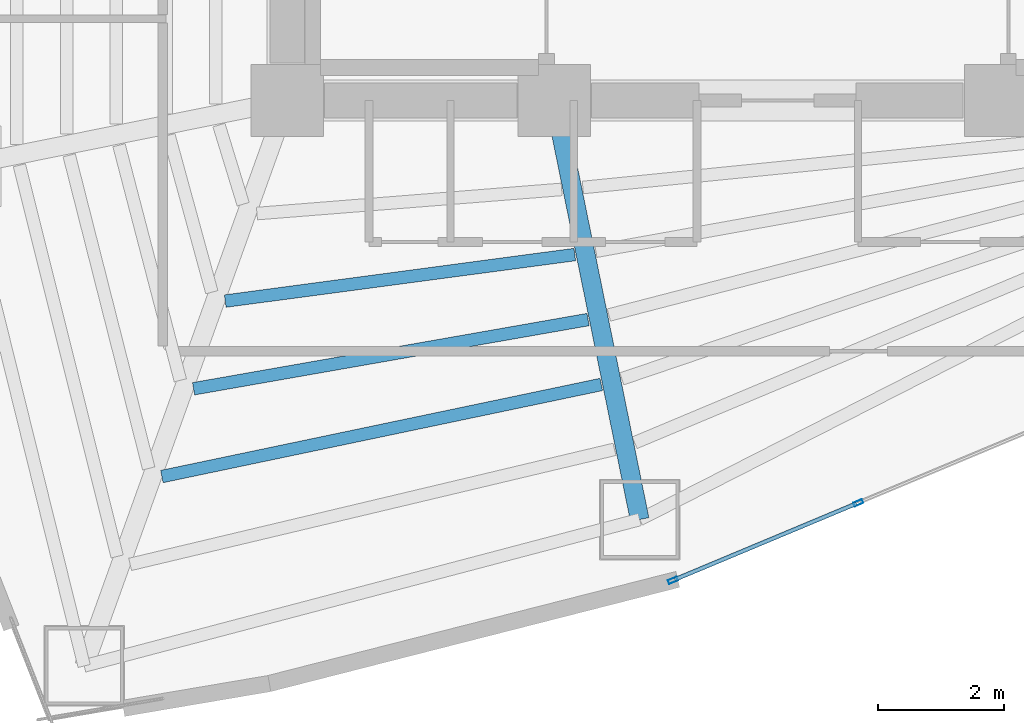
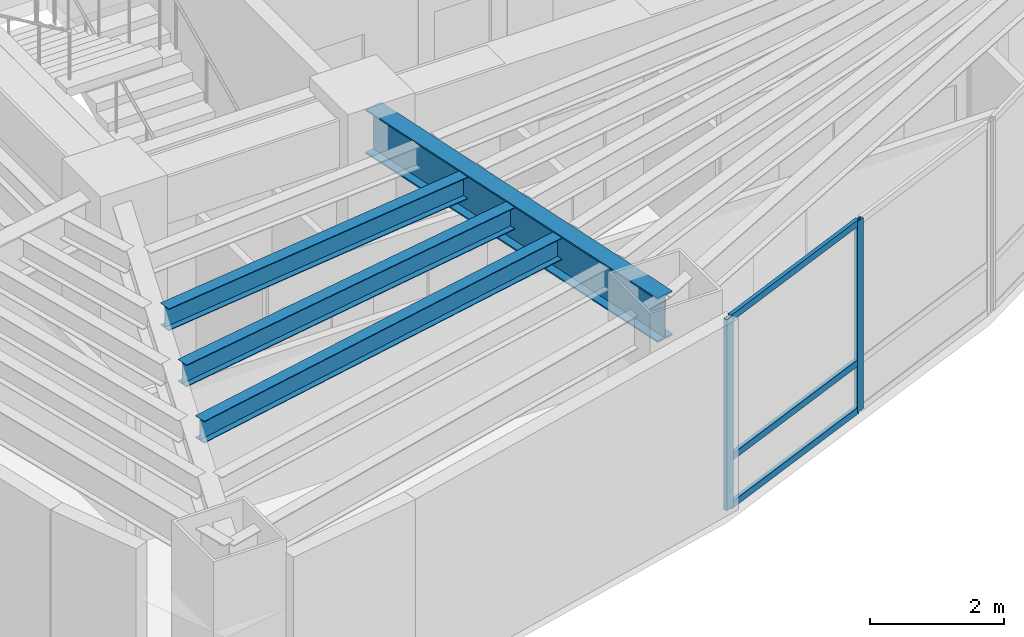
# One storey, part 2 of 18: 5 members, 4 beams, 1 element without a shape of its own.
"""IFC4 building model written with IfcOpenShell, lengths in metres."""

import ifcopenshell
import ifcopenshell.guid

model = None  # the IFC model being written
_history = None  # IfcOwnerHistory: only IFC2X3 demands one
_inside = {}  # id of a spatial element -> (the spatial element, [elements in it])
_under = {}  # id of a project, library or spatial element -> (it, [spatial elements below it])
_declared = {}  # id of a project -> (the project, [libraries it declares])
_typed = {}  # id of a type object -> (the type object, [elements of that type])
_made_of = {}  # id of a material, layer set ... -> (it, [elements and type objects made of it])


def new_model(schema):
    """Start an empty IFC model of exactly this schema.

    Asked for "IFC4X3", IfcOpenShell would pick the latest addendum, in which some entities
    have other attributes; the version numbers below select the first issue.
    IFC2X3 requires an IfcOwnerHistory on every rooted entity: one is made here for all.
    """
    global model, _history
    if schema == "IFC4X3":
        model = ifcopenshell.file(schema_version=(4, 3, 0, 0))
    else:
        model = ifcopenshell.file(schema=schema)
    _inside.clear()
    _under.clear()
    _declared.clear()
    _typed.clear()
    _made_of.clear()
    _history = None
    if model.schema == "IFC2X3":
        org = make("IfcOrganization", Name="unknown")
        user = make(
            "IfcPersonAndOrganization",
            ThePerson=make("IfcPerson", FamilyName="unknown"),
            TheOrganization=org,
        )
        app = make(
            "IfcApplication",
            ApplicationDeveloper=org,
            Version="unknown",
            ApplicationFullName="unknown",
            ApplicationIdentifier="unknown",
        )
        _history = make(
            "IfcOwnerHistory",
            OwningUser=user,
            OwningApplication=app,
            ChangeAction="ADDED",
            CreationDate=0,
        )
    return model


def make(cls, **values):
    """One entity of the class cls with the attributes given. An attribute that is None is left unset."""
    return model.create_entity(
        cls, **{name: value for name, value in values.items() if value is not None}
    )


def rooted(cls, **values):
    """An entity with a GlobalId (a new one), such as an element, a storey or a relation."""
    return make(cls, GlobalId=ifcopenshell.guid.new(), OwnerHistory=_history, **values)


def si_unit(unit_type, name, prefix=None):
    """IfcSIUnit, for example si_unit("LENGTHUNIT", "METRE", prefix="MILLI")."""
    return make("IfcSIUnit", UnitType=unit_type, Prefix=prefix, Name=name)


def assignment(units):
    """IfcUnitAssignment: the units of a project."""
    return None if units is None else make("IfcUnitAssignment", Units=units)


def point(xyz):
    """IfcCartesianPoint."""
    return None if xyz is None else make("IfcCartesianPoint", Coordinates=xyz)


def direction(xyz):
    """IfcDirection."""
    return None if xyz is None else make("IfcDirection", DirectionRatios=xyz)


def frame(location, z_axis=None, x_axis=None):
    """IfcAxis2Placement3D, a coordinate frame: its origin and axes. An axis left out is left unset."""
    return make(
        "IfcAxis2Placement3D",
        Location=point(location),
        Axis=direction(z_axis),
        RefDirection=direction(x_axis),
    )


def frame_2d(location, x_axis=None):
    """IfcAxis2Placement2D, a coordinate frame in the plane: its origin and x axis."""
    return make(
        "IfcAxis2Placement2D", Location=point(location), RefDirection=direction(x_axis)
    )


def origin():
    """The frame at (0, 0, 0) with its axes left unset."""
    return frame((0.0, 0.0, 0.0))


def origin_2d():
    """The frame at (0, 0) in the plane with its x axis left unset."""
    return frame_2d((0.0, 0.0))


def place(relative_to, where):
    """IfcLocalPlacement: puts the frame where relative to a parent placement (None: the world)."""
    return make(
        "IfcLocalPlacement", PlacementRelTo=relative_to, RelativePlacement=where
    )


def context(
    kind, dimensions, precision=None, world=None, true_north=None, identifier=None
):
    """IfcGeometricRepresentationContext, for example the 3D "Model" context."""
    return make(
        "IfcGeometricRepresentationContext",
        ContextIdentifier=identifier,
        ContextType=kind,
        CoordinateSpaceDimension=dimensions,
        Precision=precision,
        WorldCoordinateSystem=world,
        TrueNorth=true_north,
    )


def subcontext(parent, identifier, kind, view, scale=None):
    """IfcGeometricRepresentationSubContext, for example "Body" below "Model"."""
    return make(
        "IfcGeometricRepresentationSubContext",
        ContextIdentifier=identifier,
        ContextType=kind,
        ParentContext=parent,
        TargetScale=scale,
        TargetView=view,
    )


def project(units=None, contexts=None):
    """IfcProject with its units and contexts."""
    return rooted(
        "IfcProject",
        Name="project",
        RepresentationContexts=contexts,
        UnitsInContext=assignment(units),
    )


def spatial(cls, under=None, at=None, **own):
    """A site, building, storey or space (cls), placed at a placement, below another one or the project."""
    s = rooted(cls, ObjectPlacement=at, **own)
    if under is not None:
        _under.setdefault(under.id(), (under, []))[1].append(s)
    return s


def profile(cls, at=None, kind="AREA", **sizes):
    """A parametric profile (cls). Its sizes go by their IFC names, for example OverallWidth=200.0."""
    return make(cls, ProfileType=kind, Position=at, **sizes)


def hollow_rectangle(**sizes):
    """IfcRectangleHollowProfileDef."""
    return profile("IfcRectangleHollowProfileDef", **sizes)


def i_section(**sizes):
    """IfcIShapeProfileDef."""
    return profile("IfcIShapeProfileDef", **sizes)


def extrude(swept, where, along, depth):
    """IfcExtrudedAreaSolid: the profile swept, set in the frame where, extruded along a direction by depth."""
    return make(
        "IfcExtrudedAreaSolid",
        SweptArea=swept,
        Position=where,
        ExtrudedDirection=direction(along),
        Depth=depth,
    )


def shape(context_of_items, identifier, shape_type, items):
    """IfcShapeRepresentation: the items that make up one representation, for example the "Body"."""
    return make(
        "IfcShapeRepresentation",
        ContextOfItems=context_of_items,
        RepresentationIdentifier=identifier,
        RepresentationType=shape_type,
        Items=items,
    )


def material(Name=None, Category=None):
    """IfcMaterial."""
    return make("IfcMaterial", Name=Name, Category=Category)


def layer(
    of_material, thickness, ventilated=None, Name=None, Category=None, Priority=None
):
    """IfcMaterialLayer: one layer of a wall or slab, of a material (None: an air gap)."""
    return make(
        "IfcMaterialLayer",
        Material=of_material,
        LayerThickness=thickness,
        IsVentilated=ventilated,
        Name=Name,
        Category=Category,
        Priority=Priority,
    )


def layer_set(layers, Name=None):
    """IfcMaterialLayerSet."""
    return make("IfcMaterialLayerSet", MaterialLayers=layers, LayerSetName=Name)


def material_profile(
    of_material, cross_section, Name=None, Category=None, Priority=None
):
    """IfcMaterialProfile: a cross section and its material."""
    return make(
        "IfcMaterialProfile",
        Name=Name,
        Material=of_material,
        Profile=cross_section,
        Priority=Priority,
        Category=Category,
    )


def profile_set(profiles, Name=None, composite=None):
    """IfcMaterialProfileSet."""
    return make(
        "IfcMaterialProfileSet",
        Name=Name,
        MaterialProfiles=profiles,
        CompositeProfile=composite,
    )


def made_of(thing, what):
    """Note that an element or type object is made of a material, layer set ...; save() writes the relation."""
    if what is not None:
        _made_of.setdefault(what.id(), (what, []))[1].append(thing)
    return thing


def type_object(cls, material=None, **own):
    """A type object (cls), such as IfcWallType, which elements share."""
    return made_of(rooted(cls, **own), material)


def element(
    cls,
    number,
    at=None,
    inside=None,
    cuts=None,
    type_object=None,
    material=None,
    context=None,
    identifier="Body",
    shape_type=None,
    held_by="IfcProductDefinitionShape",
    body=None,
    shapes=None,
    **own,
):
    """One element of the class cls, such as IfcWall. Its Tag is "e" and its number.

    at: its placement. inside: the storey or other place that contains it. cuts: it is an
    opening in that element (IfcRelVoidsElement). A single representation is given by context,
    identifier, shape_type and body (its items); several are given by shapes. held_by: the class
    of the entity that holds the representations. save() writes the other relations.
    """
    e = rooted(cls, Tag="e%d" % number, ObjectPlacement=at, **own)
    if body is not None:
        shapes = [shape(context, identifier, shape_type, body)]
    if shapes is not None:
        e.Representation = make(held_by, Representations=shapes)
    if inside is not None:
        _inside.setdefault(inside.id(), (inside, []))[1].append(e)
    if cuts is not None:
        rooted(
            "IfcRelVoidsElement", RelatingBuildingElement=cuts, RelatedOpeningElement=e
        )
    if type_object is not None:
        _typed.setdefault(type_object.id(), (type_object, []))[1].append(e)
    return made_of(e, material)


def aggregate(whole, parts):
    """IfcRelAggregates: a whole, such as a stair, and the parts it consists of."""
    return rooted("IfcRelAggregates", RelatingObject=whole, RelatedObjects=parts)


def save(model, path):
    """Write the relations noted so far, then the file.

    IfcRelAggregates (storeys below a building ...), IfcRelContainedInSpatialStructure (elements
    in a storey), IfcRelDefinesByType, IfcRelAssociatesMaterial and IfcRelDeclares: one each for
    every whole, place, type object, material and project.
    """
    for whole, parts in _under.values():
        aggregate(whole, parts)
    for where, things in _inside.values():
        rooted(
            "IfcRelContainedInSpatialStructure",
            RelatedElements=things,
            RelatingStructure=where,
        )
    for kind, things in _typed.values():
        rooted("IfcRelDefinesByType", RelatedObjects=things, RelatingType=kind)
    for what, things in _made_of.values():
        rooted("IfcRelAssociatesMaterial", RelatedObjects=things, RelatingMaterial=what)
    for by, libraries in _declared.values():
        rooted("IfcRelDeclares", RelatingContext=by, RelatedDefinitions=libraries)
    model.write(path)


model = new_model("IFC4")

# Units and contexts
model_context = context("Model", 3, precision=1e-05, world=origin(), true_north=direction((0.0, 1.0)))
body_context = subcontext(model_context, "Body", "Model", "MODEL_VIEW")
ifc_project = project(units=[si_unit("LENGTHUNIT", "METRE"), si_unit("AREAUNIT", "SQUARE_METRE"), si_unit("VOLUMEUNIT", "CUBIC_METRE"), si_unit("PLANEANGLEUNIT", "RADIAN"), si_unit("MASSUNIT", "GRAM", prefix="KILO")], contexts=[model_context])

# Site, building, storey
site_placement = place(None, origin())
site = spatial("IfcSite", under=ifc_project, at=site_placement, CompositionType="ELEMENT")
building_placement = place(site_placement, origin())
building = spatial("IfcBuilding", under=site, at=building_placement, Name="Menara Vayukalpa", CompositionType="ELEMENT")
storey_placement = place(building_placement, frame((0.0, 0.0, 92.820068359375)))
storey = spatial("IfcBuildingStorey", under=building, at=storey_placement, Name="L22", CompositionType="ELEMENT", Elevation=92.820068359375)

# Beams
ifc_material_1 = material(Name="Steel S355", Category="steel")
ifc_material_profile_1 = material_profile(ifc_material_1, i_section(OverallWidth=0.300048828125, OverallDepth=0.800048828125, WebThickness=0.013916015625, FlangeThickness=0.02587890625, at=origin_2d()), Name="WF 800x300x14x26")
ifc_profile_set_1 = profile_set([ifc_material_profile_1], Name="Steel S355")
beam_type_1 = type_object("IfcBeamType", Name="BM-PG3", PredefinedType="BEAM", material=ifc_profile_set_1)
beam_1_placement = place(storey_placement, frame((22.099853515625, 16.955078125, 3.06982421875), z_axis=(0.199617728418, -0.9798738503, 0.0), x_axis=(0.9798738503, 0.199617728418, 0.0)))
element("IfcBeam", 1, at=beam_1_placement, inside=storey, type_object=beam_type_1, Name="L22 Primary Radial Girder RG08", PredefinedType="BEAM", context=body_context, shape_type="SweptSolid", body=[
    extrude(i_section(OverallWidth=0.300048828125, OverallDepth=0.800048828125, WebThickness=0.013916015625, FlangeThickness=0.02587890625, at=origin_2d()), origin(), (0.0, 0.0, 1.0), 6.55419921875),
])
ifc_material_2 = material(Name="Steel S355", Category="steel")
ifc_material_profile_2 = material_profile(ifc_material_2, i_section(OverallWidth=0.199951171875, OverallDepth=0.39990234375, WebThickness=0.008056640625, FlangeThickness=0.012939453125, at=origin_2d()), Name="WF 400x200x8x13")
ifc_profile_set_2 = profile_set([ifc_material_profile_2], Name="Steel S355")
beam_type_2 = type_object("IfcBeamType", Name="BM-SJ2", PredefinedType="JOIST", material=ifc_profile_set_2)
beam_2_placement = place(storey_placement, frame((16.814208984375, 14.008056640625, 3.27001953125), z_axis=(0.991248408809, 0.132009817941, 0.0), x_axis=(-0.132009817941, 0.991248408809, 0.0)))
element("IfcBeam", 2, at=beam_2_placement, inside=storey, type_object=beam_type_2, Name="L22 Secondary Floor Joist SJ07-2", PredefinedType="JOIST", context=body_context, shape_type="SweptSolid", body=[
    extrude(i_section(OverallWidth=0.199951171875, OverallDepth=0.39990234375, WebThickness=0.008056640625, FlangeThickness=0.012939453125, at=origin_2d()), origin(), (0.0, 0.0, 1.0), 5.611083984375),
])
beam_3_placement = place(storey_placement, frame((16.309814453125, 12.613037109375, 3.27001953125), z_axis=(0.984953935883, 0.172817083033, 0.0), x_axis=(-0.172817083033, 0.984953935883, 0.0)))
element("IfcBeam", 3, at=beam_3_placement, inside=storey, type_object=beam_type_2, Name="L22 Secondary Floor Joist SJ07-3", PredefinedType="JOIST", context=body_context, shape_type="SweptSolid", body=[
    extrude(i_section(OverallWidth=0.199951171875, OverallDepth=0.39990234375, WebThickness=0.008056640625, FlangeThickness=0.012939453125, at=origin_2d()), origin(), (0.0, 0.0, 1.0), 6.372802734375),
])
beam_4_placement = place(storey_placement, frame((15.805419921875, 11.216552734375, 3.27001953125), z_axis=(0.978749487369, 0.205059603471, 0.0), x_axis=(-0.205059603471, 0.978749487369, 0.0)))
element("IfcBeam", 4, at=beam_4_placement, inside=storey, type_object=beam_type_2, Name="L22 Secondary Floor Joist SJ07-4", PredefinedType="JOIST", context=body_context, shape_type="SweptSolid", body=[
    extrude(i_section(OverallWidth=0.199951171875, OverallDepth=0.39990234375, WebThickness=0.008056640625, FlangeThickness=0.012939453125, at=origin_2d()), origin(), (0.0, 0.0, 1.0), 7.1435546875),
])

# Curtain wall, members
ifc_material_3 = material(Name="Anodised Terracotta Aluminium Alloy 6063-T6", Category="masonry")
ifc_layer = layer(ifc_material_3, 0.14990234375)
ifc_layer_set = layer_set([ifc_layer], Name="Anodised Terracotta Aluminium Alloy 6063-T6")
curtain_wall_type = type_object("IfcCurtainWallType", Name="CW-CW3", PredefinedType="USERDEFINED", material=ifc_layer_set)
curtain_wall_placement = place(storey_placement, origin())
curtain_wall = element("IfcCurtainWall", 5, at=curtain_wall_placement, inside=storey, type_object=curtain_wall_type, Name="L22 Mid Rise Terracotta Ribbon Curtain Wall CW3 16", ObjectType="UNITISED", PredefinedType="USERDEFINED")
ifc_material_4 = material(Name="Anodised Terracotta Aluminium Alloy 6063-T6", Category="masonry")
ifc_material_profile_3 = material_profile(ifc_material_4, hollow_rectangle(XDim=0.06494140625, YDim=0.14990234375, WallThickness=0.00341796875, at=origin_2d()), Name="ALU 65x150x3.5")
ifc_profile_set_3 = profile_set([ifc_material_profile_3], Name="Anodised Terracotta Aluminium Alloy 6063-T6")
member_type_1 = type_object("IfcMemberType", Name="CWM-CW3", PredefinedType="MULLION", material=ifc_profile_set_3)
member_1_placement = place(storey_placement, frame((23.9375, 9.56494140625, 0.0), z_axis=(0.0, 0.0, 1.0), x_axis=(-0.38589358437, 0.922543300632, 0.0)))
member_1 = element("IfcMember", 6, at=member_1_placement, type_object=member_type_1, Name="CW3 mullion 1", PredefinedType="MULLION", context=body_context, shape_type="SweptSolid", body=[
    extrude(hollow_rectangle(XDim=0.06494140625, YDim=0.14990234375, WallThickness=0.00341796875, at=origin_2d()), origin(), (0.0, 0.0, 1.0), 3.469970703125),
])
member_2_placement = place(storey_placement, frame((26.88671875, 10.798583984375, 0.0), z_axis=(0.0, 0.0, 1.0), x_axis=(-0.38589358437, 0.922543300632, 0.0)))
member_2 = element("IfcMember", 7, at=member_2_placement, type_object=member_type_1, Name="CW3 mullion 2", PredefinedType="MULLION", context=body_context, shape_type="SweptSolid", body=[
    extrude(hollow_rectangle(XDim=0.06494140625, YDim=0.14990234375, WallThickness=0.00341796875, at=origin_2d()), origin(), (0.0, 0.0, 1.0), 3.469970703125),
])
ifc_material_5 = material(Name="Anodised Terracotta Aluminium Alloy 6063-T6", Category="masonry")
ifc_material_profile_4 = material_profile(ifc_material_5, hollow_rectangle(XDim=0.06494140625, YDim=0.1201171875, WallThickness=0.00341796875, at=origin_2d()), Name="ALU 65x120x3.5")
ifc_profile_set_4 = profile_set([ifc_material_profile_4], Name="Anodised Terracotta Aluminium Alloy 6063-T6")
member_type_2 = type_object("IfcMemberType", Name="CWT-CW3", PredefinedType="USERDEFINED", material=ifc_profile_set_4)
member_3_placement = place(storey_placement, frame((23.96728515625, 9.577392578125, 0.032470703125), z_axis=(0.922529423765, 0.385926757673, 0.0), x_axis=(-0.385926757673, 0.922529423765, 0.0)))
member_3 = element("IfcMember", 8, at=member_3_placement, type_object=member_type_2, Name="CW3 transom 1.1", ObjectType="TRANSOM", PredefinedType="USERDEFINED", context=body_context, shape_type="SweptSolid", body=[
    extrude(hollow_rectangle(XDim=0.06494140625, YDim=0.1201171875, WallThickness=0.00341796875, at=origin_2d()), origin(), (0.0, 0.0, 1.0), 3.132080078125),
])
member_4_placement = place(storey_placement, frame((23.96728515625, 9.577392578125, 0.89990234375), z_axis=(0.922529423765, 0.385926757673, 0.0), x_axis=(-0.385926757673, 0.922529423765, 0.0)))
member_4 = element("IfcMember", 9, at=member_4_placement, type_object=member_type_2, Name="CW3 transom 1.2", ObjectType="TRANSOM", PredefinedType="USERDEFINED", context=body_context, shape_type="SweptSolid", body=[
    extrude(hollow_rectangle(XDim=0.06494140625, YDim=0.1201171875, WallThickness=0.00341796875, at=origin_2d()), origin(), (0.0, 0.0, 1.0), 3.132080078125),
])
member_5_placement = place(storey_placement, frame((23.96728515625, 9.577392578125, 3.4375), z_axis=(0.922529423765, 0.385926757673, 0.0), x_axis=(-0.385926757673, 0.922529423765, 0.0)))
member_5 = element("IfcMember", 10, at=member_5_placement, type_object=member_type_2, Name="CW3 transom 1.3", ObjectType="TRANSOM", PredefinedType="USERDEFINED", context=body_context, shape_type="SweptSolid", body=[
    extrude(hollow_rectangle(XDim=0.06494140625, YDim=0.1201171875, WallThickness=0.00341796875, at=origin_2d()), origin(), (0.0, 0.0, 1.0), 3.132080078125),
])
aggregate(curtain_wall, [member_1, member_2, member_3, member_4, member_5])

save(model, "model.ifc")
